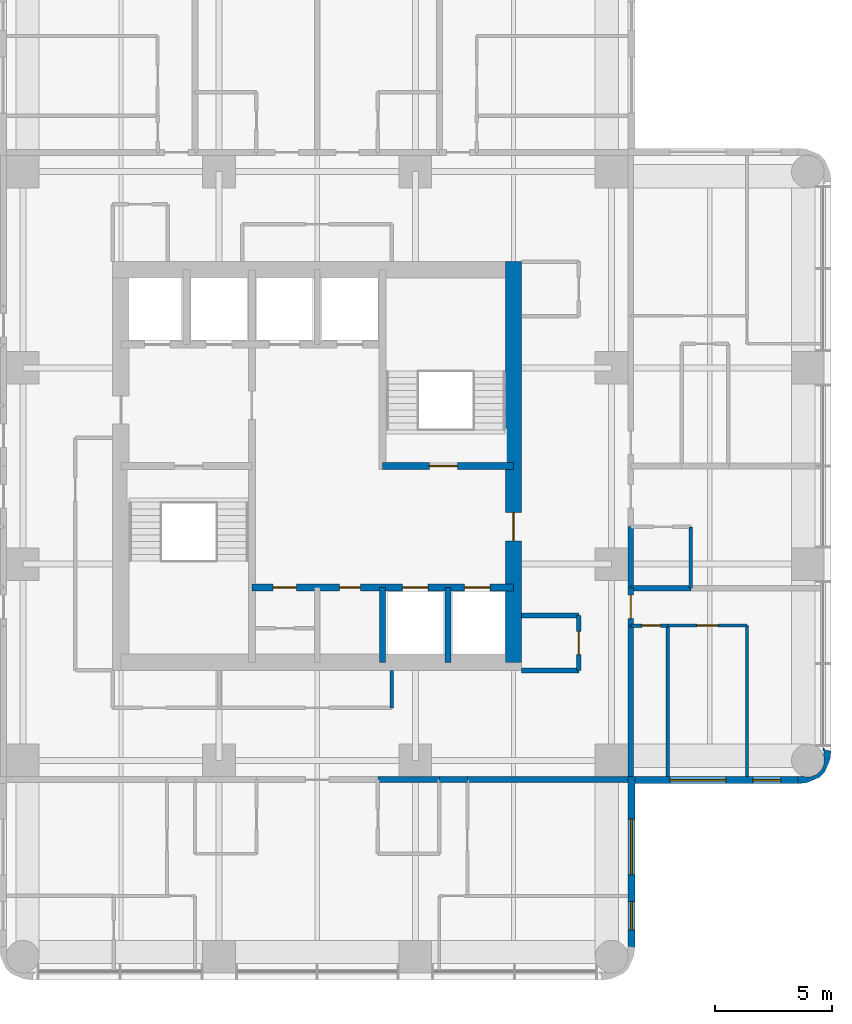
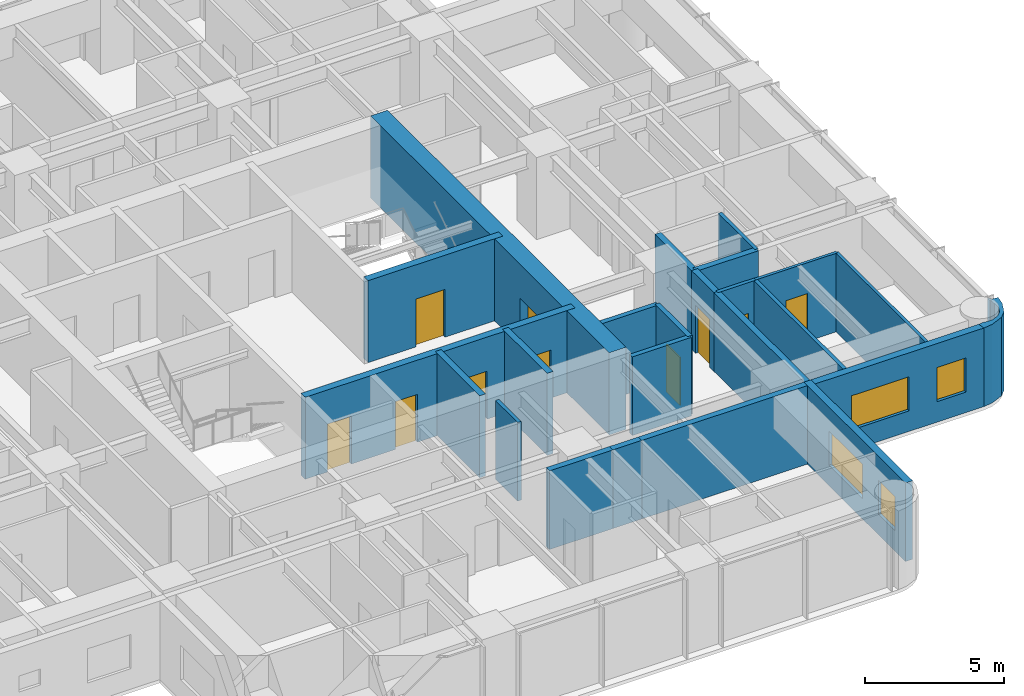
# One storey, part 7 of 11: 24 walls, 10 doors, 4 windows, 14 openings.
"""IFC4 building model written with IfcOpenShell, lengths in metres."""

from ifc_helpers import new_model, si_unit, direction, frame, frame_2d, origin, place, context, subcontext, project, spatial, polyline, rectangle, outline, extrude, material, layer, layer_set, type_object, element, fill, save


model = new_model("IFC4")

# Units and contexts
model_context = context("Model", 3, precision=1e-05, world=origin(), true_north=direction((0.0, 1.0)))
body_context = subcontext(model_context, "Body", "Model", "MODEL_VIEW")
ifc_project = project(units=[si_unit("LENGTHUNIT", "METRE"), si_unit("AREAUNIT", "SQUARE_METRE"), si_unit("VOLUMEUNIT", "CUBIC_METRE"), si_unit("PLANEANGLEUNIT", "RADIAN"), si_unit("MASSUNIT", "GRAM", prefix="KILO")], contexts=[model_context])

# Site, building, storey
site_placement = place(None, origin())
site = spatial("IfcSite", under=ifc_project, at=site_placement, CompositionType="ELEMENT")
building_placement = place(site_placement, origin())
building = spatial("IfcBuilding", under=site, at=building_placement, Name="Torre Alcanfor", CompositionType="ELEMENT")
storey_placement = place(building_placement, frame((0.0, 0.0, 222.89990234375)))
storey = spatial("IfcBuildingStorey", under=building, at=storey_placement, Name="L58", CompositionType="ELEMENT", Elevation=222.89990234375)

# Wall
ifc_material_1 = material(Name="Concrete block masonry, hollow blocks NMX-C-404 9 MPa", Category="masonry")
ifc_layer_1 = layer(ifc_material_1, 0.25)
ifc_layer_set_1 = layer_set([ifc_layer_1], Name="Apartment entrance wall 250 EI 60")
wall_type_1 = type_object("IfcWallType", Name="Apartment entrance wall 250 EI 60", PredefinedType="PARTITIONING", material=ifc_layer_set_1)
wall_1_placement = place(storey_placement, frame((42.824951171875, 26.800048828125, 0.0), z_axis=(0.0, 0.0, 1.0), x_axis=(0.0, -1.0, 0.0)))
element("IfcWall", 1, at=wall_1_placement, inside=storey, type_object=wall_type_1, Name="Partition L58-CORR / L58-E2A-BATH", PredefinedType="PARTITIONING", context=body_context, shape_type="SweptSolid", body=[
    extrude(rectangle(XDim=2.629150390625, YDim=0.25, at=frame_2d((1.314453125, 0.0))), origin(), (0.0, 0.0, 1.0), 3.4501953125),
])

# Wall, opening, door
wall_2_placement = place(storey_placement, frame((42.824951171875, 24.1708984375, 0.0), z_axis=(0.0, 0.0, 1.0), x_axis=(0.0, -1.0, 0.0)))
wall_2 = element("IfcWall", 2, at=wall_2_placement, inside=storey, type_object=wall_type_1, Name="Partition L58-CORR / L58-E2B-LIVING", PredefinedType="PARTITIONING", context=body_context, shape_type="SweptSolid", body=[
    extrude(rectangle(XDim=1.599853515625, YDim=0.25, at=frame_2d((0.7998046875, 0.0))), origin(), (0.0, 0.0, 1.0), 3.4501953125),
])
opening_1_placement = place(wall_2_placement, frame((0.300048828125, 0.0, 0.0)))
opening_1 = element("IfcOpeningElement", 3, at=opening_1_placement, cuts=wall_2, Name="Opening D-A1", PredefinedType="OPENING", context=body_context, shape_type="SweptSolid", body=[
    extrude(rectangle(XDim=1.0, YDim=2.10009765625, at=frame_2d((0.5, 1.050048828125))), frame((0.0, 0.135009765625, 0.0), z_axis=(0.0, -1.0, 0.0), x_axis=(1.0, 0.0, 0.0)), (0.0, 0.0, 1.0), 0.27001953125),
])
ifc_material_2 = material(Name="Galvanised steel sheet ASTM A653", Category="steel")
door_type_1 = type_object("IfcDoorType", Name="Apartment entrance door FD60 1000x2100", OperationType="SINGLE_SWING_LEFT", PredefinedType="DOOR", material=ifc_material_2)
door_1_placement = place(opening_1_placement, origin())
door_1 = element("IfcDoor", 4, at=door_1_placement, inside=storey, type_object=door_type_1, Name="Apartment entrance L58-E2B", OperationType="SINGLE_SWING_LEFT", OverallHeight=2.10009765625, OverallWidth=1.0, PredefinedType="DOOR", context=body_context, shape_type="SweptSolid", body=[
    extrude(rectangle(XDim=1.0, YDim=2.10009765625, at=frame_2d((0.5, 1.050048828125))), frame((0.0, 0.02490234375, 0.0), z_axis=(0.0, -1.0, 0.0), x_axis=(1.0, 0.0, 0.0)), (0.0, 0.0, 1.0), 0.050048828125),
])
fill(opening_1, door_1)

# Walls
wall_3_placement = place(storey_placement, frame((42.824951171875, 22.571044921875, 0.0), z_axis=(0.0, 0.0, 1.0), x_axis=(0.0, -1.0, 0.0)))
element("IfcWall", 5, at=wall_3_placement, inside=storey, type_object=wall_type_1, Name="Partition L58-CORR / L58-E2B-BATH", PredefinedType="PARTITIONING", context=body_context, shape_type="SweptSolid", body=[
    extrude(rectangle(XDim=6.470947265625, YDim=0.25, at=frame_2d((3.2353515625, 0.0))), origin(), (0.0, 0.0, 1.0), 3.4501953125),
])
wall_4_placement = place(storey_placement, frame((34.62890625, 15.97509765625, 0.0), z_axis=(0.0, 0.0, 1.0), x_axis=(-1.0, 0.0, 0.0)))
element("IfcWall", 6, at=wall_4_placement, inside=storey, type_object=wall_type_1, Name="Partition L58-CORR / L58-SX-BATH2", PredefinedType="PARTITIONING", context=body_context, shape_type="SweptSolid", body=[
    extrude(rectangle(XDim=2.62890625, YDim=0.25, at=frame_2d((1.314453125, 0.0))), origin(), (0.0, 0.0, 1.0), 3.4501953125),
])
wall_5_placement = place(storey_placement, frame((35.8291015625, 15.97509765625, 0.0), z_axis=(0.0, 0.0, 1.0), x_axis=(-1.0, 0.0, 0.0)))
element("IfcWall", 7, at=wall_5_placement, inside=storey, type_object=wall_type_1, Name="Partition L58-CORR / L58-SX-LIVING", PredefinedType="PARTITIONING", context=body_context, shape_type="SweptSolid", body=[
    extrude(rectangle(XDim=1.2001953125, YDim=0.25, at=frame_2d((0.60009765625, 0.0))), origin(), (0.0, 0.0, 1.0), 3.4501953125),
])
wall_6_placement = place(storey_placement, frame((42.699951171875, 15.97509765625, 0.0), z_axis=(0.0, 0.0, 1.0), x_axis=(-1.0, 0.0, 0.0)))
element("IfcWall", 8, at=wall_6_placement, inside=storey, type_object=wall_type_1, Name="Partition L58-CORR / L58-SX-BED2", PredefinedType="PARTITIONING", context=body_context, shape_type="SweptSolid", body=[
    extrude(rectangle(XDim=6.870849609375, YDim=0.25, at=frame_2d((3.435546875, 0.0))), origin(), (0.0, 0.0, 1.0), 3.4501953125),
])
ifc_material_3 = material(Name="Gypsum board on steel studs", Category="steel")
ifc_layer_2 = layer(ifc_material_3, 0.1201171875)
ifc_layer_set_2 = layer_set([ifc_layer_2], Name="Apartment partition 120")
wall_type_2 = type_object("IfcWallType", Name="Apartment partition 120", PredefinedType="PARTITIONING", material=ifc_layer_set_2)
wall_7_placement = place(storey_placement, frame((47.800048828125, 16.10009765625, 0.0), z_axis=(0.0, 0.0, 1.0), x_axis=(0.0, 1.0, 0.0)))
element("IfcWall", 9, at=wall_7_placement, inside=storey, type_object=wall_type_2, Name="Partition L58-E2B-LIVING / L58-E2B-MASTER", PredefinedType="PARTITIONING", context=body_context, shape_type="SweptSolid", body=[
    extrude(rectangle(XDim=6.470947265625, YDim=0.1201171875, at=frame_2d((3.2353515625, 0.0))), origin(), (0.0, 0.0, 1.0), 3.4501953125),
])

# Wall, opening, door
wall_8_placement = place(storey_placement, frame((47.800048828125, 22.571044921875, 0.0), z_axis=(0.0, 0.0, 1.0), x_axis=(-1.0, 0.0, 0.0)))
wall_8 = element("IfcWall", 10, at=wall_8_placement, inside=storey, type_object=wall_type_2, Name="Partition L58-E2B-LIVING / L58-E2B-MASTER", PredefinedType="PARTITIONING", context=body_context, shape_type="SweptSolid", body=[
    extrude(rectangle(XDim=3.400146484375, YDim=0.1201171875, at=frame_2d((1.7001953125, 0.0))), origin(), (0.0, 0.0, 1.0), 3.4501953125),
])
opening_2_placement = place(wall_8_placement, frame((1.25, 0.0, 0.0)))
opening_2 = element("IfcOpeningElement", 11, at=opening_2_placement, cuts=wall_8, Name="Opening D-R1", PredefinedType="OPENING", context=body_context, shape_type="SweptSolid", body=[
    extrude(rectangle(XDim=0.89990234375, YDim=2.10009765625, at=frame_2d((0.449951171875, 1.050048828125))), frame((0.0, 0.070068359375, 0.0), z_axis=(0.0, -1.0, 0.0), x_axis=(1.0, 0.0, 0.0)), (0.0, 0.0, 1.0), 0.14013671875),
])
ifc_material_4 = material(Name="Timber", Category="wood")
door_type_2 = type_object("IfcDoorType", Name="Internal door 900x2100", OperationType="SINGLE_SWING_LEFT", PredefinedType="DOOR", material=ifc_material_4)
door_2_placement = place(opening_2_placement, origin())
door_2 = element("IfcDoor", 12, at=door_2_placement, inside=storey, type_object=door_type_2, Name="Door L58-E2B master", OperationType="SINGLE_SWING_LEFT", OverallHeight=2.10009765625, OverallWidth=0.89990234375, PredefinedType="DOOR", context=body_context, shape_type="SweptSolid", body=[
    extrude(rectangle(XDim=0.89990234375, YDim=2.10009765625, at=frame_2d((0.449951171875, 1.050048828125))), frame((0.0, 0.02490234375, 0.0), z_axis=(0.0, -1.0, 0.0), x_axis=(1.0, 0.0, 0.0)), (0.0, 0.0, 1.0), 0.050048828125),
])
fill(opening_2, door_2)

# Wall, openings, doors
ifc_material_5 = material(Name="Concrete f'c 70 MPa", Category="concrete")
ifc_layer_3 = layer(ifc_material_5, 0.300048828125)
ifc_layer_set_3 = layer_set([ifc_layer_3], Name="Core inner wall 300 f'c70")
wall_type_3 = type_object("IfcWallType", Name="Core inner wall 300 f'c70", PredefinedType="SHEAR", material=ifc_layer_set_3)
wall_9_placement = place(storey_placement, frame((26.60009765625, 24.199951171875, 0.0), z_axis=(0.0, 0.0, 1.0), x_axis=(1.0, 0.0, 0.0)))
wall_9 = element("IfcWall", 13, at=wall_9_placement, inside=storey, type_object=wall_type_3, Name="Core wall Y242 L58", PredefinedType="SHEAR", context=body_context, shape_type="SweptSolid", body=[
    extrude(rectangle(XDim=11.199951171875, YDim=0.300048828125, at=frame_2d((5.60009765625, 0.0))), origin(), (0.0, 0.0, 1.0), 3.60009765625),
])
opening_3_placement = place(wall_9_placement, frame((0.91259765625, 0.0, 0.0)))
opening_3 = element("IfcOpeningElement", 14, at=opening_3_placement, cuts=wall_9, Name="Opening D-K1", PredefinedType="OPENING", context=body_context, shape_type="SweptSolid", body=[
    extrude(rectangle(XDim=1.0, YDim=2.10009765625, at=frame_2d((0.5, 1.050048828125))), frame((0.0, 0.159912109375, 0.0), z_axis=(0.0, -1.0, 0.0), x_axis=(1.0, 0.0, 0.0)), (0.0, 0.0, 1.0), 0.320068359375),
])
opening_4_placement = place(wall_9_placement, frame((3.75, 0.0, 0.0)))
opening_4 = element("IfcOpeningElement", 15, at=opening_4_placement, cuts=wall_9, Name="Opening D-Q1", PredefinedType="OPENING", context=body_context, shape_type="SweptSolid", body=[
    extrude(rectangle(XDim=0.89990234375, YDim=2.10009765625, at=frame_2d((0.449951171875, 1.050048828125))), frame((0.0, 0.159912109375, 0.0), z_axis=(0.0, -1.0, 0.0), x_axis=(1.0, 0.0, 0.0)), (0.0, 0.0, 1.0), 0.320068359375),
])
opening_5_placement = place(wall_9_placement, frame((6.449951171875, 0.0, 0.0)))
opening_5 = element("IfcOpeningElement", 16, at=opening_5_placement, cuts=wall_9, Name="Opening LD1", PredefinedType="OPENING", context=body_context, shape_type="SweptSolid", body=[
    extrude(rectangle(XDim=1.10009765625, YDim=2.10009765625, at=frame_2d((0.550048828125, 1.050048828125))), frame((0.0, 0.159912109375, 0.0), z_axis=(0.0, -1.0, 0.0), x_axis=(1.0, 0.0, 0.0)), (0.0, 0.0, 1.0), 0.320068359375),
])
opening_6_placement = place(wall_9_placement, frame((9.10009765625, 0.0, 0.0)))
opening_6 = element("IfcOpeningElement", 17, at=opening_6_placement, cuts=wall_9, Name="Opening LD1", PredefinedType="OPENING", context=body_context, shape_type="SweptSolid", body=[
    extrude(rectangle(XDim=1.10009765625, YDim=2.10009765625, at=frame_2d((0.550048828125, 1.050048828125))), frame((0.0, 0.159912109375, 0.0), z_axis=(0.0, -1.0, 0.0), x_axis=(1.0, 0.0, 0.0)), (0.0, 0.0, 1.0), 0.320068359375),
])
ifc_material_6 = material(Name="Galvanised steel sheet ASTM A653", Category="steel")
door_type_3 = type_object("IfcDoorType", Name="Core room door FD60 1000x2100", OperationType="SINGLE_SWING_LEFT", PredefinedType="DOOR", material=ifc_material_6)
door_3_placement = place(opening_3_placement, frame((1.0, 0.0, 0.0), z_axis=(0.0, 0.0, 1.0), x_axis=(-1.0, 0.0, 0.0)))
door_3 = element("IfcDoor", 18, at=door_3_placement, inside=storey, type_object=door_type_3, Name="IT and comms room door L58", OperationType="SINGLE_SWING_RIGHT", OverallHeight=2.10009765625, OverallWidth=1.0, PredefinedType="DOOR", context=body_context, shape_type="SweptSolid", body=[
    extrude(rectangle(XDim=1.0, YDim=2.10009765625, at=frame_2d((0.5, 1.050048828125))), frame((0.0, 0.025146484375, 0.0), z_axis=(0.0, -1.0, 0.0), x_axis=(1.0, 0.0, 0.0)), (0.0, 0.0, 1.0), 0.050048828125),
])
fill(opening_3, door_3)
ifc_material_7 = material(Name="Galvanised steel sheet ASTM A653", Category="steel")
door_type_4 = type_object("IfcDoorType", Name="Lift landing door 1100x2100", OperationType="DOUBLE_DOOR_SLIDING", PredefinedType="DOOR", material=ifc_material_7)
door_4_placement = place(opening_5_placement, origin())
door_4 = element("IfcDoor", 19, at=door_4_placement, inside=storey, type_object=door_type_4, Name="Lift landing door PA3 L58", OperationType="DOUBLE_DOOR_SLIDING", OverallHeight=2.10009765625, OverallWidth=1.10009765625, PredefinedType="DOOR", context=body_context, shape_type="SweptSolid", body=[
    extrude(rectangle(XDim=1.10009765625, YDim=2.10009765625, at=frame_2d((0.550048828125, 1.050048828125))), frame((0.0, 0.02490234375, 0.0), z_axis=(0.0, -1.0, 0.0), x_axis=(1.0, 0.0, 0.0)), (0.0, 0.0, 1.0), 0.050048828125),
])
fill(opening_5, door_4)
door_5_placement = place(opening_6_placement, origin())
door_5 = element("IfcDoor", 20, at=door_5_placement, inside=storey, type_object=door_type_4, Name="Lift landing door PA4 L58", OperationType="DOUBLE_DOOR_SLIDING", OverallHeight=2.10009765625, OverallWidth=1.10009765625, PredefinedType="DOOR", context=body_context, shape_type="SweptSolid", body=[
    extrude(rectangle(XDim=1.10009765625, YDim=2.10009765625, at=frame_2d((0.550048828125, 1.050048828125))), frame((0.0, 0.02490234375, 0.0), z_axis=(0.0, -1.0, 0.0), x_axis=(1.0, 0.0, 0.0)), (0.0, 0.0, 1.0), 0.050048828125),
])
fill(opening_6, door_5)
ifc_material_8 = material(Name="Galvanised steel sheet ASTM A653", Category="steel")
door_type_5 = type_object("IfcDoorType", Name="Riser access door FD120 900x2100", OperationType="SINGLE_SWING_LEFT", PredefinedType="DOOR", material=ifc_material_8)
door_6_placement = place(opening_4_placement, frame((0.89990234375, 0.0, 0.0), z_axis=(0.0, 0.0, 1.0), x_axis=(-1.0, 0.0, 0.0)))
door_6 = element("IfcDoor", 21, at=door_6_placement, inside=storey, type_object=door_type_5, Name="Riser door L58", OperationType="SINGLE_SWING_RIGHT", OverallHeight=2.10009765625, OverallWidth=0.89990234375, PredefinedType="DOOR", context=body_context, shape_type="SweptSolid", body=[
    extrude(rectangle(XDim=0.89990234375, YDim=2.10009765625, at=frame_2d((0.449951171875, 1.050048828125))), frame((0.0, 0.025146484375, 0.0), z_axis=(0.0, -1.0, 0.0), x_axis=(1.0, 0.0, 0.0)), (0.0, 0.0, 1.0), 0.050048828125),
])
fill(opening_4, door_6)

# Wall, opening, door
wall_10_placement = place(storey_placement, frame((32.199951171875, 29.39990234375, 0.0), z_axis=(0.0, 0.0, 1.0), x_axis=(1.0, 0.0, 0.0)))
wall_10 = element("IfcWall", 22, at=wall_10_placement, inside=storey, type_object=wall_type_3, Name="Core wall Y294E L58", PredefinedType="SHEAR", context=body_context, shape_type="SweptSolid", body=[
    extrude(rectangle(XDim=5.60009765625, YDim=0.300048828125, at=frame_2d((2.800048828125, 0.0))), origin(), (0.0, 0.0, 1.0), 3.60009765625),
])
opening_7_placement = place(wall_10_placement, frame((2.0, 0.0, 0.0)))
opening_7 = element("IfcOpeningElement", 23, at=opening_7_placement, cuts=wall_10, Name="Opening D-S2", PredefinedType="OPENING", context=body_context, shape_type="SweptSolid", body=[
    extrude(rectangle(XDim=1.199951171875, YDim=2.10009765625, at=frame_2d((0.60009765625, 1.050048828125))), frame((0.0, 0.159912109375, 0.0), z_axis=(0.0, -1.0, 0.0), x_axis=(1.0, 0.0, 0.0)), (0.0, 0.0, 1.0), 0.320068359375),
])
ifc_material_9 = material(Name="Galvanised steel sheet ASTM A653", Category="steel")
door_type_6 = type_object("IfcDoorType", Name="Stair enclosure door FD120 1200x2100", OperationType="SINGLE_SWING_LEFT", PredefinedType="DOOR", material=ifc_material_9)
door_7_placement = place(opening_7_placement, origin())
door_7 = element("IfcDoor", 24, at=door_7_placement, inside=storey, type_object=door_type_6, Name="Stair S2 door L58", OperationType="SINGLE_SWING_LEFT", OverallHeight=2.10009765625, OverallWidth=1.199951171875, PredefinedType="DOOR", context=body_context, shape_type="SweptSolid", body=[
    extrude(rectangle(XDim=1.199951171875, YDim=2.10009765625, at=frame_2d((0.60009765625, 1.050048828125))), frame((0.0, 0.02490234375, 0.0), z_axis=(0.0, -1.0, 0.0), x_axis=(1.0, 0.0, 0.0)), (0.0, 0.0, 1.0), 0.050048828125),
])
fill(opening_7, door_7)

# Walls
ifc_material_10 = material(Name="Concrete f'c 70 MPa", Category="concrete")
ifc_layer_4 = layer(ifc_material_10, 0.25)
ifc_layer_set_4 = layer_set([ifc_layer_4], Name="Core shaft wall 250 f'c70")
wall_type_4 = type_object("IfcWallType", Name="Core shaft wall 250 f'c70", PredefinedType="SHEAR", material=ifc_layer_set_4)
for number, where, z_axis, x_axis, name in (
    (25, (32.199951171875, 21.0, 0.0), (0.0, 0.0, 1.0), (0.0, 1.0, 0.0), "Core wall X322S L58"),
    (26, (35.0, 21.0, 0.0), (0.0, 0.0, 1.0), (0.0, 1.0, 0.0), "Core wall X350S L58"),
):
    element("IfcWall", number, at=place(storey_placement, frame(where, z_axis=z_axis, x_axis=x_axis)), inside=storey, type_object=wall_type_4, Name=name, PredefinedType="SHEAR", context=body_context, shape_type="SweptSolid", body=[
        extrude(rectangle(XDim=3.199951171875, YDim=0.25, at=frame_2d((1.60009765625, 0.0))), origin(), (0.0, 0.0, 1.0), 3.60009765625),
    ])

# Wall, opening, door
ifc_material_11 = material(Name="Concrete f'c 70 MPa", Category="concrete")
ifc_layer_5 = layer(ifc_material_11, 0.699951171875)
ifc_layer_set_5 = layer_set([ifc_layer_5], Name="Core wall 700 f'c70")
wall_type_5 = type_object("IfcWallType", Name="Core wall 700 f'c70", PredefinedType="SHEAR", material=ifc_layer_set_5)
wall_11_placement = place(storey_placement, frame((37.800048828125, 21.0, 0.0), z_axis=(0.0, 0.0, 1.0), x_axis=(0.0, 1.0, 0.0)))
wall_11 = element("IfcWall", 27, at=wall_11_placement, inside=storey, type_object=wall_type_5, Name="Core wall OUT-E L58", PredefinedType="SHEAR", context=body_context, shape_type="SweptSolid", body=[
    extrude(rectangle(XDim=17.14990234375, YDim=0.699951171875, at=frame_2d((8.574951171875, 0.0))), origin(), (0.0, 0.0, 1.0), 3.60009765625),
])
opening_8_placement = place(wall_11_placement, frame((5.199951171875, 0.0, 0.0)))
opening_8 = element("IfcOpeningElement", 28, at=opening_8_placement, cuts=wall_11, Name="Opening D-L1", PredefinedType="OPENING", context=body_context, shape_type="SweptSolid", body=[
    extrude(rectangle(XDim=1.199951171875, YDim=2.10009765625, at=frame_2d((0.60009765625, 1.050048828125))), frame((0.0, 0.35986328125, 0.0), z_axis=(0.0, -1.0, 0.0), x_axis=(1.0, 0.0, 0.0)), (0.0, 0.0, 1.0), 0.719970703125),
])
ifc_material_12 = material(Name="Galvanised steel sheet ASTM A653", Category="steel")
door_type_7 = type_object("IfcDoorType", Name="Lobby door FD120 1200x2100", OperationType="SINGLE_SWING_LEFT", PredefinedType="DOOR", material=ifc_material_12)
door_8_placement = place(opening_8_placement, origin())
door_8 = element("IfcDoor", 29, at=door_8_placement, inside=storey, type_object=door_type_7, Name="Lift lobby entrance door L58", OperationType="SINGLE_SWING_LEFT", OverallHeight=2.10009765625, OverallWidth=1.199951171875, PredefinedType="DOOR", context=body_context, shape_type="SweptSolid", body=[
    extrude(rectangle(XDim=1.199951171875, YDim=2.10009765625, at=frame_2d((0.60009765625, 1.050048828125))), frame((0.0, 0.02490234375, 0.0), z_axis=(0.0, -1.0, 0.0), x_axis=(1.0, 0.0, 0.0)), (0.0, 0.0, 1.0), 0.050048828125),
])
fill(opening_8, door_8)

# Wall, openings, windows
ifc_material_13 = material(Name="Limestone cladding", Category="masonry")
ifc_layer_6 = layer(ifc_material_13, 0.0400390625, Name="Facing")
ifc_material_14 = material(Name="Ventilated air cavity")
ifc_layer_7 = layer(ifc_material_14, 0.02001953125, ventilated=True, Name="Ventilated joint")
ifc_material_15 = material(Name="Mineral wool insulation", Category="insulation")
ifc_layer_8 = layer(ifc_material_15, 0.10009765625, Name="Insulation")
ifc_material_16 = material(Name="Concrete f'c 35 MPa", Category="concrete")
ifc_layer_9 = layer(ifc_material_16, 0.139892578125, Name="Backing")
ifc_layer_set_6 = layer_set([ifc_layer_6, ifc_layer_7, ifc_layer_8, ifc_layer_9], Name="External wall stone-clad 300")
wall_type_6 = type_object("IfcWallType", Name="External wall stone-clad 300", PredefinedType="SOLIDWALL", material=ifc_layer_set_6)
wall_12_placement = place(storey_placement, frame((42.85009765625, 8.800048828125, 0.0), z_axis=(0.0, 0.0, 1.0), x_axis=(0.0, 1.0, 0.0)))
wall_12 = element("IfcWall", 30, at=wall_12_placement, inside=storey, type_object=wall_type_6, Name="External wall L58 6", PredefinedType="SOLIDWALL", context=body_context, shape_type="SweptSolid", body=[
    extrude(rectangle(XDim=7.300048828125, YDim=0.300048828125, at=frame_2d((3.64990234375, 0.0))), origin(), (0.0, 0.0, 1.0), 3.4501953125),
])
opening_9_placement = place(wall_12_placement, frame((3.10009765625, 0.0, 0.89990234375)))
opening_9 = element("IfcOpeningElement", 31, at=opening_9_placement, cuts=wall_12, Name="Opening W1", PredefinedType="OPENING", context=body_context, shape_type="SweptSolid", body=[
    extrude(rectangle(XDim=2.39990234375, YDim=1.5, at=frame_2d((1.199951171875, 0.75))), frame((0.0, 0.159912109375, 0.0), z_axis=(0.0, -1.0, 0.0), x_axis=(1.0, 0.0, 0.0)), (0.0, 0.0, 1.0), 0.320068359375),
])
opening_10_placement = place(wall_12_placement, frame((0.75, 0.0, 0.89990234375)))
opening_10 = element("IfcOpeningElement", 32, at=opening_10_placement, cuts=wall_12, Name="Opening W4", PredefinedType="OPENING", context=body_context, shape_type="SweptSolid", body=[
    extrude(rectangle(XDim=1.199951171875, YDim=1.5, at=frame_2d((0.60009765625, 0.75))), frame((0.0, 0.159912109375, 0.0), z_axis=(0.0, -1.0, 0.0), x_axis=(1.0, 0.0, 0.0)), (0.0, 0.0, 1.0), 0.320068359375),
])
ifc_material_17 = material(Name="Aluminium frame with clear double glazing", Category="aluminium")
window_type_1 = type_object("IfcWindowType", Name="Window bedroom 1200x1500", PartitioningType="SINGLE_PANEL", PredefinedType="WINDOW", material=ifc_material_17)
window_1_placement = place(opening_10_placement, origin())
window_1 = element("IfcWindow", 33, at=window_1_placement, inside=storey, type_object=window_type_1, Name="Window W4 L58-S1", OverallHeight=1.5, OverallWidth=1.199951171875, PartitioningType="SINGLE_PANEL", PredefinedType="WINDOW", context=body_context, shape_type="SweptSolid", body=[
    extrude(rectangle(XDim=1.199951171875, YDim=1.5, at=frame_2d((0.60009765625, 0.75))), frame((0.0, 0.030029296875, 0.0), z_axis=(0.0, -1.0, 0.0), x_axis=(1.0, 0.0, 0.0)), (0.0, 0.0, 1.0), 0.06005859375),
])
fill(opening_10, window_1)
ifc_material_18 = material(Name="Aluminium frame with clear double glazing", Category="aluminium")
window_type_2 = type_object("IfcWindowType", Name="Window bedroom 2400x1500", PartitioningType="SINGLE_PANEL", PredefinedType="WINDOW", material=ifc_material_18)
window_2_placement = place(opening_9_placement, origin())
window_2 = element("IfcWindow", 34, at=window_2_placement, inside=storey, type_object=window_type_2, Name="Window W1 L58-S1", OverallHeight=1.5, OverallWidth=2.39990234375, PartitioningType="SINGLE_PANEL", PredefinedType="WINDOW", context=body_context, shape_type="SweptSolid", body=[
    extrude(rectangle(XDim=2.39990234375, YDim=1.5, at=frame_2d((1.199951171875, 0.75))), frame((0.0, 0.030029296875, 0.0), z_axis=(0.0, -1.0, 0.0), x_axis=(1.0, 0.0, 0.0)), (0.0, 0.0, 1.0), 0.06005859375),
])
fill(opening_9, window_2)

wall_13_placement = place(storey_placement, frame((43.0, 15.949951171875, 0.0), z_axis=(0.0, 0.0, 1.0), x_axis=(1.0, 0.0, 0.0)))
wall_13 = element("IfcWall", 35, at=wall_13_placement, inside=storey, type_object=wall_type_6, Name="External wall L58 7", PredefinedType="SOLIDWALL", context=body_context, shape_type="SweptSolid", body=[
    extrude(rectangle(XDim=7.0, YDim=0.300048828125, at=frame_2d((3.5, 0.0))), origin(), (0.0, 0.0, 1.0), 3.4501953125),
])
opening_11_placement = place(wall_13_placement, frame((1.5, 0.0, 0.89990234375)))
opening_11 = element("IfcOpeningElement", 36, at=opening_11_placement, cuts=wall_13, Name="Opening W1", PredefinedType="OPENING", context=body_context, shape_type="SweptSolid", body=[
    extrude(rectangle(XDim=2.39990234375, YDim=1.5, at=frame_2d((1.199951171875, 0.75))), frame((0.0, 0.159912109375, 0.0), z_axis=(0.0, -1.0, 0.0), x_axis=(1.0, 0.0, 0.0)), (0.0, 0.0, 1.0), 0.320068359375),
])
opening_12_placement = place(wall_13_placement, frame((5.050048828125, 0.0, 0.89990234375)))
opening_12 = element("IfcOpeningElement", 37, at=opening_12_placement, cuts=wall_13, Name="Opening W4", PredefinedType="OPENING", context=body_context, shape_type="SweptSolid", body=[
    extrude(rectangle(XDim=1.199951171875, YDim=1.5, at=frame_2d((0.60009765625, 0.75))), frame((0.0, 0.159912109375, 0.0), z_axis=(0.0, -1.0, 0.0), x_axis=(1.0, 0.0, 0.0)), (0.0, 0.0, 1.0), 0.320068359375),
])
window_3_placement = place(opening_12_placement, origin())
window_3 = element("IfcWindow", 38, at=window_3_placement, inside=storey, type_object=window_type_1, Name="Window W4 L58-E2", OverallHeight=1.5, OverallWidth=1.199951171875, PartitioningType="SINGLE_PANEL", PredefinedType="WINDOW", context=body_context, shape_type="SweptSolid", body=[
    extrude(rectangle(XDim=1.199951171875, YDim=1.5, at=frame_2d((0.60009765625, 0.75))), frame((0.0, 0.030029296875, 0.0), z_axis=(0.0, -1.0, 0.0), x_axis=(1.0, 0.0, 0.0)), (0.0, 0.0, 1.0), 0.06005859375),
])
fill(opening_12, window_3)
window_4_placement = place(opening_11_placement, origin())
window_4 = element("IfcWindow", 39, at=window_4_placement, inside=storey, type_object=window_type_2, Name="Window W1 L58-E2", OverallHeight=1.5, OverallWidth=2.39990234375, PartitioningType="SINGLE_PANEL", PredefinedType="WINDOW", context=body_context, shape_type="SweptSolid", body=[
    extrude(rectangle(XDim=2.39990234375, YDim=1.5, at=frame_2d((1.199951171875, 0.75))), frame((0.0, 0.030029296875, 0.0), z_axis=(0.0, -1.0, 0.0), x_axis=(1.0, 0.0, 0.0)), (0.0, 0.0, 1.0), 0.06005859375),
])
fill(opening_11, window_4)

# Walls
ifc_material_19 = material(Name="Concrete block masonry, hollow blocks NMX-C-404 9 MPa", Category="masonry")
ifc_layer_10 = layer(ifc_material_19, 0.25)
ifc_layer_set_7 = layer_set([ifc_layer_10], Name="Party wall 250 EI 60")
wall_type_7 = type_object("IfcWallType", Name="Party wall 250 EI 60", PredefinedType="PARTITIONING", material=ifc_layer_set_7)
wall_14_placement = place(storey_placement, frame((45.39990234375, 24.1708984375, 0.0), z_axis=(0.0, 0.0, 1.0), x_axis=(-1.0, 0.0, 0.0)))
element("IfcWall", 40, at=wall_14_placement, inside=storey, type_object=wall_type_7, Name="Partition L58-E2A-BATH / L58-E2B-LIVING", PredefinedType="PARTITIONING", context=body_context, shape_type="SweptSolid", body=[
    extrude(rectangle(XDim=2.574951171875, YDim=0.25, at=frame_2d((1.28759765625, 0.0))), origin(), (0.0, 0.0, 1.0), 3.4501953125),
])
ifc_material_20 = material(Name="Concrete block masonry, hollow blocks NMX-C-404 9 MPa", Category="masonry")
ifc_layer_11 = layer(ifc_material_20, 0.199951171875)
ifc_layer_set_8 = layer_set([ifc_layer_11], Name="Plant room wall 200 EI 60")
wall_type_8 = type_object("IfcWallType", Name="Plant room wall 200 EI 60", PredefinedType="PARTITIONING", material=ifc_layer_set_8)
wall_15_placement = place(storey_placement, frame((38.14990234375, 20.64990234375, 0.0), z_axis=(0.0, 0.0, 1.0), x_axis=(1.0, 0.0, 0.0)))
element("IfcWall", 41, at=wall_15_placement, inside=storey, type_object=wall_type_8, Name="Partition L58-CORR / L58-G03", PredefinedType="PARTITIONING", context=body_context, shape_type="SweptSolid", body=[
    extrude(rectangle(XDim=2.4501953125, YDim=0.199951171875, at=frame_2d((1.22509765625, 0.0))), origin(), (0.0, 0.0, 1.0), 3.4501953125),
])

# Wall, opening, door
wall_16_placement = place(storey_placement, frame((40.60009765625, 20.64990234375, 0.0), z_axis=(0.0, 0.0, 1.0), x_axis=(0.0, 1.0, 0.0)))
wall_16 = element("IfcWall", 42, at=wall_16_placement, inside=storey, type_object=wall_type_8, Name="Partition L58-CORR / L58-G03", PredefinedType="PARTITIONING", context=body_context, shape_type="SweptSolid", body=[
    extrude(rectangle(XDim=2.35009765625, YDim=0.199951171875, at=frame_2d((1.175048828125, 0.0))), origin(), (0.0, 0.0, 1.0), 3.4501953125),
])
opening_13_placement = place(wall_16_placement, frame((0.675048828125, 0.0, 0.0)))
opening_13 = element("IfcOpeningElement", 43, at=opening_13_placement, cuts=wall_16, Name="Opening D-K1", PredefinedType="OPENING", context=body_context, shape_type="SweptSolid", body=[
    extrude(rectangle(XDim=1.0, YDim=2.10009765625, at=frame_2d((0.5, 1.050048828125))), frame((0.0, 0.10986328125, 0.0), z_axis=(0.0, -1.0, 0.0), x_axis=(1.0, 0.0, 0.0)), (0.0, 0.0, 1.0), 0.219970703125),
])
door_9_placement = place(opening_13_placement, origin())
door_9 = element("IfcDoor", 44, at=door_9_placement, inside=storey, type_object=door_type_3, Name="Door L58-G03 refuse and recycling store", OperationType="SINGLE_SWING_LEFT", OverallHeight=2.10009765625, OverallWidth=1.0, PredefinedType="DOOR", context=body_context, shape_type="SweptSolid", body=[
    extrude(rectangle(XDim=1.0, YDim=2.10009765625, at=frame_2d((0.5, 1.050048828125))), frame((0.0, 0.02490234375, 0.0), z_axis=(0.0, -1.0, 0.0), x_axis=(1.0, 0.0, 0.0)), (0.0, 0.0, 1.0), 0.050048828125),
])
fill(opening_13, door_9)

# Walls
wall_17_placement = place(storey_placement, frame((40.60009765625, 23.0, 0.0), z_axis=(0.0, 0.0, 1.0), x_axis=(-1.0, 0.0, 0.0)))
element("IfcWall", 45, at=wall_17_placement, inside=storey, type_object=wall_type_8, Name="Partition L58-CORR / L58-G03", PredefinedType="PARTITIONING", context=body_context, shape_type="SweptSolid", body=[
    extrude(rectangle(XDim=2.4501953125, YDim=0.199951171875, at=frame_2d((1.22509765625, 0.0))), origin(), (0.0, 0.0, 1.0), 3.4501953125),
])
ifc_material_21 = material(Name="Concrete block masonry, hollow blocks NMX-C-404 9 MPa", Category="masonry")
ifc_layer_12 = layer(ifc_material_21, 0.14990234375)
ifc_layer_set_9 = layer_set([ifc_layer_12], Name="Residents' room partition 150")
wall_type_9 = type_object("IfcWallType", Name="Residents' room partition 150", PredefinedType="PARTITIONING", material=ifc_layer_set_9)
wall_18_placement = place(storey_placement, frame((32.60009765625, 19.050048828125, 0.0), z_axis=(0.0, 0.0, 1.0), x_axis=(0.0, 1.0, 0.0)))
element("IfcWall", 46, at=wall_18_placement, inside=storey, type_object=wall_type_9, Name="Partition L58-CORR / L58-G06", PredefinedType="PARTITIONING", context=body_context, shape_type="SweptSolid", body=[
    extrude(rectangle(XDim=1.599853515625, YDim=0.14990234375, at=frame_2d((0.7998046875, 0.0))), origin(), (0.0, 0.0, 1.0), 3.4501953125),
])
ifc_layer_13 = layer(ifc_material_13, 0.0400390625, Name="Facing")
ifc_layer_14 = layer(ifc_material_14, 0.02001953125, ventilated=True, Name="Ventilated joint")
ifc_layer_15 = layer(ifc_material_15, 0.10009765625, Name="Insulation")
ifc_layer_16 = layer(ifc_material_16, 0.139892578125, Name="Backing")
ifc_layer_set_10 = layer_set([ifc_layer_13, ifc_layer_14, ifc_layer_15, ifc_layer_16], Name="Rounded corner pier stone-clad 300")
wall_type_10 = type_object("IfcWallType", Name="Rounded corner pier stone-clad 300", PredefinedType="SOLIDWALL", material=ifc_layer_set_10)
wall_19_placement = place(storey_placement, frame((50.110315272, 16.075788181, 0.0), z_axis=(0.0, 0.0, 1.0), x_axis=(0.898030234854, -0.439933741929, 0.0)))
element("IfcWall", 47, at=wall_19_placement, inside=storey, type_object=wall_type_10, Name="Corner pier L58 17", PredefinedType="SOLIDWALL", context=body_context, shape_type="SweptSolid", body=[
    extrude(outline(polyline([(0.6635309497954787, 1.5768652207279077), (0.4261657470939745, 1.4970125439527688), (0.3820436753027886, 1.5360230024769612), (0.27620863417053443, 1.5722591508431565), (0.3493519149941243, 1.422952854472101), (0.3918855735785366, 1.4437895600224335), (0.45340193240181437, 1.2610574190776962), (0.5097761390474591, 1.211465523288862), (0.6324334469777668, 0.961086976364126), (0.6500435101724213, 0.6826272661031227), (0.5595694134864071, 0.41891221165833237), (0.3749822839006132, 0.2096814391710166), (0.12460373697587725, 0.08702413124070879), (0.0497715019894753, 0.08217265535453251), (-0.12751990672054841, -0.03540062823065235), (-0.14527880540785457, -0.04410048982640973), (0.02224059568510124, -0.2961536862237746), (0.3266570480405287, -0.09401072508638375), (0.5683303343389906, 0.18015912102175058), (0.5774346974139304, 0.19875607730145015), (0.6998664144502319, 0.3373020629515939), (0.8106998188665876, 0.6610135622172228), (0.7988778263184556, 0.8455257731096697), (0.8030824189706058, 0.8658003288507671), (0.7801681024384324, 1.230560545874389), (0.6635309497954787, 1.5768652207279077)])), origin(), (0.0, 0.0, 1.0), 3.4501953125),
])
ifc_material_22 = material(Name="Cement board on steel studs", Category="steel")
ifc_layer_17 = layer(ifc_material_22, 0.14990234375)
ifc_layer_set_11 = layer_set([ifc_layer_17], Name="Wet area partition 150")
wall_type_11 = type_object("IfcWallType", Name="Wet area partition 150", PredefinedType="PARTITIONING", material=ifc_layer_set_11)
wall_20_placement = place(storey_placement, frame((45.39990234375, 24.1708984375, 0.0), z_axis=(0.0, 0.0, 1.0), x_axis=(0.0, 1.0, 0.0)))
element("IfcWall", 48, at=wall_20_placement, inside=storey, type_object=wall_type_11, Name="Partition L58-E2A-STUDIO / L58-E2A-BATH", PredefinedType="PARTITIONING", context=body_context, shape_type="SweptSolid", body=[
    extrude(rectangle(XDim=2.629150390625, YDim=0.14990234375, at=frame_2d((1.314453125, 0.0))), origin(), (0.0, 0.0, 1.0), 3.4501953125),
])

# Wall, opening, door
wall_21_placement = place(storey_placement, frame((44.39990234375, 22.571044921875, 0.0), z_axis=(0.0, 0.0, 1.0), x_axis=(-1.0, 0.0, 0.0)))
wall_21 = element("IfcWall", 49, at=wall_21_placement, inside=storey, type_object=wall_type_11, Name="Partition L58-E2B-LIVING / L58-E2B-BATH", PredefinedType="PARTITIONING", context=body_context, shape_type="SweptSolid", body=[
    extrude(rectangle(XDim=1.574951171875, YDim=0.14990234375, at=frame_2d((0.78759765625, 0.0))), origin(), (0.0, 0.0, 1.0), 3.4501953125),
])
opening_14_placement = place(wall_21_placement, frame((0.300048828125, 0.0, 0.0)))
opening_14 = element("IfcOpeningElement", 50, at=opening_14_placement, cuts=wall_21, Name="Opening D-R2", PredefinedType="OPENING", context=body_context, shape_type="SweptSolid", body=[
    extrude(rectangle(XDim=0.800048828125, YDim=2.10009765625, at=frame_2d((0.39990234375, 1.050048828125))), frame((0.0, 0.0849609375, 0.0), z_axis=(0.0, -1.0, 0.0), x_axis=(1.0, 0.0, 0.0)), (0.0, 0.0, 1.0), 0.169921875),
])
ifc_material_23 = material(Name="Timber", Category="wood")
door_type_8 = type_object("IfcDoorType", Name="Bathroom door 800x2100", OperationType="SINGLE_SWING_LEFT", PredefinedType="DOOR", material=ifc_material_23)
door_10_placement = place(opening_14_placement, origin())
door_10 = element("IfcDoor", 51, at=door_10_placement, inside=storey, type_object=door_type_8, Name="Door L58-E2B bath", OperationType="SINGLE_SWING_LEFT", OverallHeight=2.10009765625, OverallWidth=0.800048828125, PredefinedType="DOOR", context=body_context, shape_type="SweptSolid", body=[
    extrude(rectangle(XDim=0.800048828125, YDim=2.10009765625, at=frame_2d((0.39990234375, 1.050048828125))), frame((0.0, 0.02490234375, 0.0), z_axis=(0.0, -1.0, 0.0), x_axis=(1.0, 0.0, 0.0)), (0.0, 0.0, 1.0), 0.050048828125),
])
fill(opening_14, door_10)

# Wall
wall_22_placement = place(storey_placement, frame((44.39990234375, 22.571044921875, 0.0), z_axis=(0.0, 0.0, 1.0), x_axis=(0.0, -1.0, 0.0)))
element("IfcWall", 52, at=wall_22_placement, inside=storey, type_object=wall_type_11, Name="Partition L58-E2B-BATH / L58-E2B-MASTER", PredefinedType="PARTITIONING", context=body_context, shape_type="SweptSolid", body=[
    extrude(rectangle(XDim=6.470947265625, YDim=0.14990234375, at=frame_2d((3.2353515625, 0.0))), origin(), (0.0, 0.0, 1.0), 3.4501953125),
])

save(model, "model.ifc")
